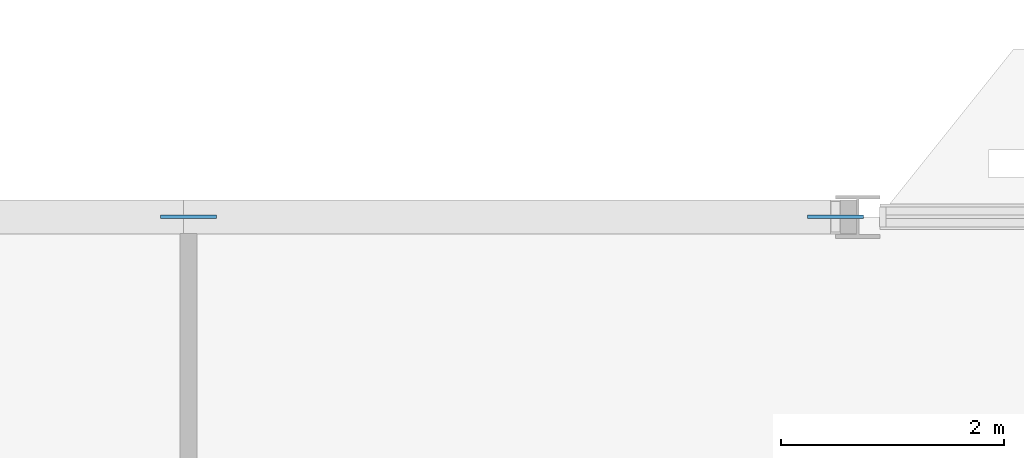
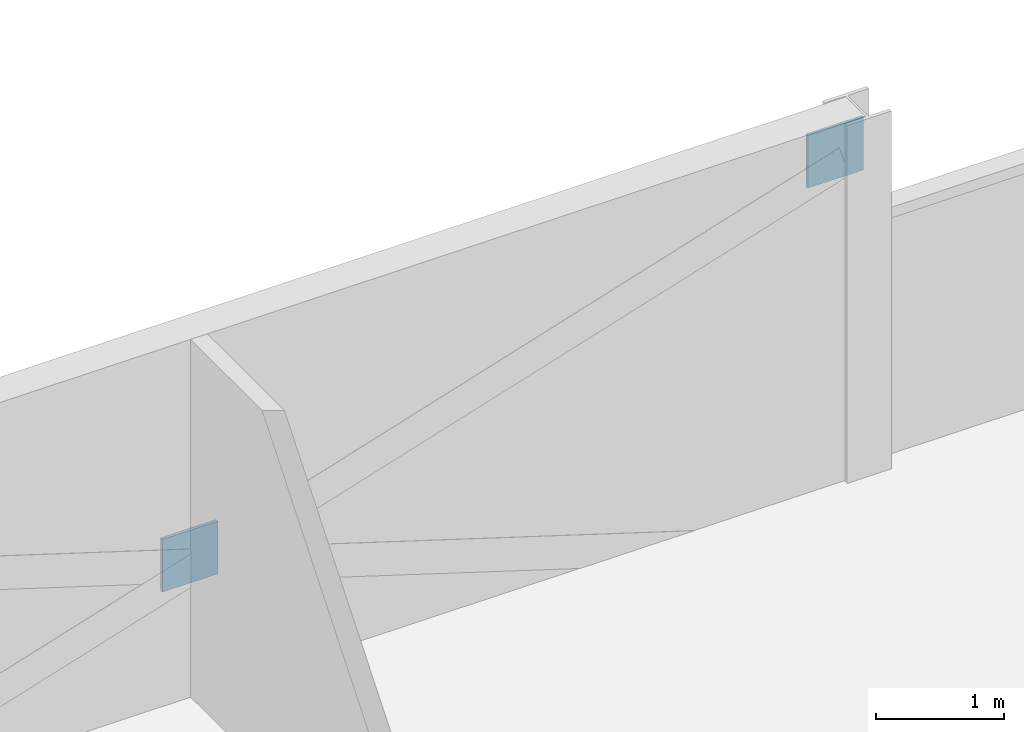
# One storey, part 25 of 33: 2 discrete accessories.
"""IFC4 building model written with IfcOpenShell, lengths in metres."""

import ifcopenshell
import ifcopenshell.guid

model = None  # the IFC model being written
_history = None  # IfcOwnerHistory: only IFC2X3 demands one
_inside = {}  # id of a spatial element -> (the spatial element, [elements in it])
_under = {}  # id of a project, library or spatial element -> (it, [spatial elements below it])
_declared = {}  # id of a project -> (the project, [libraries it declares])
_typed = {}  # id of a type object -> (the type object, [elements of that type])
_made_of = {}  # id of a material, layer set ... -> (it, [elements and type objects made of it])


def new_model(schema):
    """Start an empty IFC model of exactly this schema.

    Asked for "IFC4X3", IfcOpenShell would pick the latest addendum, in which some entities
    have other attributes; the version numbers below select the first issue.
    IFC2X3 requires an IfcOwnerHistory on every rooted entity: one is made here for all.
    """
    global model, _history
    if schema == "IFC4X3":
        model = ifcopenshell.file(schema_version=(4, 3, 0, 0))
    else:
        model = ifcopenshell.file(schema=schema)
    _inside.clear()
    _under.clear()
    _declared.clear()
    _typed.clear()
    _made_of.clear()
    _history = None
    if model.schema == "IFC2X3":
        org = make("IfcOrganization", Name="unknown")
        user = make(
            "IfcPersonAndOrganization",
            ThePerson=make("IfcPerson", FamilyName="unknown"),
            TheOrganization=org,
        )
        app = make(
            "IfcApplication",
            ApplicationDeveloper=org,
            Version="unknown",
            ApplicationFullName="unknown",
            ApplicationIdentifier="unknown",
        )
        _history = make(
            "IfcOwnerHistory",
            OwningUser=user,
            OwningApplication=app,
            ChangeAction="ADDED",
            CreationDate=0,
        )
    return model


def make(cls, **values):
    """One entity of the class cls with the attributes given. An attribute that is None is left unset."""
    return model.create_entity(
        cls, **{name: value for name, value in values.items() if value is not None}
    )


def rooted(cls, **values):
    """An entity with a GlobalId (a new one), such as an element, a storey or a relation."""
    return make(cls, GlobalId=ifcopenshell.guid.new(), OwnerHistory=_history, **values)


def si_unit(unit_type, name, prefix=None):
    """IfcSIUnit, for example si_unit("LENGTHUNIT", "METRE", prefix="MILLI")."""
    return make("IfcSIUnit", UnitType=unit_type, Prefix=prefix, Name=name)


def assignment(units):
    """IfcUnitAssignment: the units of a project."""
    return None if units is None else make("IfcUnitAssignment", Units=units)


def point(xyz):
    """IfcCartesianPoint."""
    return None if xyz is None else make("IfcCartesianPoint", Coordinates=xyz)


def direction(xyz):
    """IfcDirection."""
    return None if xyz is None else make("IfcDirection", DirectionRatios=xyz)


def frame(location, z_axis=None, x_axis=None):
    """IfcAxis2Placement3D, a coordinate frame: its origin and axes. An axis left out is left unset."""
    return make(
        "IfcAxis2Placement3D",
        Location=point(location),
        Axis=direction(z_axis),
        RefDirection=direction(x_axis),
    )


def frame_2d(location, x_axis=None):
    """IfcAxis2Placement2D, a coordinate frame in the plane: its origin and x axis."""
    return make(
        "IfcAxis2Placement2D", Location=point(location), RefDirection=direction(x_axis)
    )


def origin():
    """The frame at (0, 0, 0) with its axes left unset."""
    return frame((0.0, 0.0, 0.0))


def origin_2d():
    """The frame at (0, 0) in the plane with its x axis left unset."""
    return frame_2d((0.0, 0.0))


def place(relative_to, where):
    """IfcLocalPlacement: puts the frame where relative to a parent placement (None: the world)."""
    return make(
        "IfcLocalPlacement", PlacementRelTo=relative_to, RelativePlacement=where
    )


def context(
    kind, dimensions, precision=None, world=None, true_north=None, identifier=None
):
    """IfcGeometricRepresentationContext, for example the 3D "Model" context."""
    return make(
        "IfcGeometricRepresentationContext",
        ContextIdentifier=identifier,
        ContextType=kind,
        CoordinateSpaceDimension=dimensions,
        Precision=precision,
        WorldCoordinateSystem=world,
        TrueNorth=true_north,
    )


def subcontext(parent, identifier, kind, view, scale=None):
    """IfcGeometricRepresentationSubContext, for example "Body" below "Model"."""
    return make(
        "IfcGeometricRepresentationSubContext",
        ContextIdentifier=identifier,
        ContextType=kind,
        ParentContext=parent,
        TargetScale=scale,
        TargetView=view,
    )


def project(units=None, contexts=None):
    """IfcProject with its units and contexts."""
    return rooted(
        "IfcProject",
        Name="project",
        RepresentationContexts=contexts,
        UnitsInContext=assignment(units),
    )


def spatial(cls, under=None, at=None, **own):
    """A site, building, storey or space (cls), placed at a placement, below another one or the project."""
    s = rooted(cls, ObjectPlacement=at, **own)
    if under is not None:
        _under.setdefault(under.id(), (under, []))[1].append(s)
    return s


def profile(cls, at=None, kind="AREA", **sizes):
    """A parametric profile (cls). Its sizes go by their IFC names, for example OverallWidth=200.0."""
    return make(cls, ProfileType=kind, Position=at, **sizes)


def rectangle(**sizes):
    """IfcRectangleProfileDef."""
    return profile("IfcRectangleProfileDef", **sizes)


def extrude(swept, where, along, depth):
    """IfcExtrudedAreaSolid: the profile swept, set in the frame where, extruded along a direction by depth."""
    return make(
        "IfcExtrudedAreaSolid",
        SweptArea=swept,
        Position=where,
        ExtrudedDirection=direction(along),
        Depth=depth,
    )


def shape(context_of_items, identifier, shape_type, items):
    """IfcShapeRepresentation: the items that make up one representation, for example the "Body"."""
    return make(
        "IfcShapeRepresentation",
        ContextOfItems=context_of_items,
        RepresentationIdentifier=identifier,
        RepresentationType=shape_type,
        Items=items,
    )


def material(Name=None, Category=None):
    """IfcMaterial."""
    return make("IfcMaterial", Name=Name, Category=Category)


def layer(
    of_material, thickness, ventilated=None, Name=None, Category=None, Priority=None
):
    """IfcMaterialLayer: one layer of a wall or slab, of a material (None: an air gap)."""
    return make(
        "IfcMaterialLayer",
        Material=of_material,
        LayerThickness=thickness,
        IsVentilated=ventilated,
        Name=Name,
        Category=Category,
        Priority=Priority,
    )


def layer_set(layers, Name=None):
    """IfcMaterialLayerSet."""
    return make("IfcMaterialLayerSet", MaterialLayers=layers, LayerSetName=Name)


def made_of(thing, what):
    """Note that an element or type object is made of a material, layer set ...; save() writes the relation."""
    if what is not None:
        _made_of.setdefault(what.id(), (what, []))[1].append(thing)
    return thing


def type_object(cls, material=None, **own):
    """A type object (cls), such as IfcWallType, which elements share."""
    return made_of(rooted(cls, **own), material)


def element(
    cls,
    number,
    at=None,
    inside=None,
    cuts=None,
    type_object=None,
    material=None,
    context=None,
    identifier="Body",
    shape_type=None,
    held_by="IfcProductDefinitionShape",
    body=None,
    shapes=None,
    **own,
):
    """One element of the class cls, such as IfcWall. Its Tag is "e" and its number.

    at: its placement. inside: the storey or other place that contains it. cuts: it is an
    opening in that element (IfcRelVoidsElement). A single representation is given by context,
    identifier, shape_type and body (its items); several are given by shapes. held_by: the class
    of the entity that holds the representations. save() writes the other relations.
    """
    e = rooted(cls, Tag="e%d" % number, ObjectPlacement=at, **own)
    if body is not None:
        shapes = [shape(context, identifier, shape_type, body)]
    if shapes is not None:
        e.Representation = make(held_by, Representations=shapes)
    if inside is not None:
        _inside.setdefault(inside.id(), (inside, []))[1].append(e)
    if cuts is not None:
        rooted(
            "IfcRelVoidsElement", RelatingBuildingElement=cuts, RelatedOpeningElement=e
        )
    if type_object is not None:
        _typed.setdefault(type_object.id(), (type_object, []))[1].append(e)
    return made_of(e, material)


def aggregate(whole, parts):
    """IfcRelAggregates: a whole, such as a stair, and the parts it consists of."""
    return rooted("IfcRelAggregates", RelatingObject=whole, RelatedObjects=parts)


def save(model, path):
    """Write the relations noted so far, then the file.

    IfcRelAggregates (storeys below a building ...), IfcRelContainedInSpatialStructure (elements
    in a storey), IfcRelDefinesByType, IfcRelAssociatesMaterial and IfcRelDeclares: one each for
    every whole, place, type object, material and project.
    """
    for whole, parts in _under.values():
        aggregate(whole, parts)
    for where, things in _inside.values():
        rooted(
            "IfcRelContainedInSpatialStructure",
            RelatedElements=things,
            RelatingStructure=where,
        )
    for kind, things in _typed.values():
        rooted("IfcRelDefinesByType", RelatedObjects=things, RelatingType=kind)
    for what, things in _made_of.values():
        rooted("IfcRelAssociatesMaterial", RelatedObjects=things, RelatingMaterial=what)
    for by, libraries in _declared.values():
        rooted("IfcRelDeclares", RelatingContext=by, RelatedDefinitions=libraries)
    model.write(path)


model = new_model("IFC4")

# Units and contexts
model_context = context("Model", 3, precision=1e-05, world=origin(), true_north=direction((0.0, 1.0)))
body_context = subcontext(model_context, "Body", "Model", "MODEL_VIEW")
ifc_project = project(units=[si_unit("LENGTHUNIT", "METRE"), si_unit("AREAUNIT", "SQUARE_METRE"), si_unit("VOLUMEUNIT", "CUBIC_METRE"), si_unit("PLANEANGLEUNIT", "RADIAN"), si_unit("MASSUNIT", "GRAM", prefix="KILO")], contexts=[model_context])

# Site, building, storey
site_placement = place(None, origin())
site = spatial("IfcSite", under=ifc_project, at=site_placement, CompositionType="ELEMENT")
building_placement = place(site_placement, origin())
building = spatial("IfcBuilding", under=site, at=building_placement, Name="Mahtab Terrace Research Tower", CompositionType="ELEMENT")
storey_placement = place(building_placement, frame((0.0, 0.0, 255.199951171875)))
storey = spatial("IfcBuildingStorey", under=building, at=storey_placement, Name="L62", CompositionType="ELEMENT", Elevation=255.199951171875)

# Discrete accessories
ifc_material = material(Name="Steel ASTM A992 Gr 50", Category="steel")
ifc_layer = layer(ifc_material, 0.030029296875)
ifc_layer_set = layer_set([ifc_layer], Name="Gusset plate 500x500x30")
discrete_accessory_type = type_object("IfcDiscreteAccessoryType", Name="Gusset plate 500x500x30", PredefinedType="USERDEFINED", material=ifc_layer_set)
for number, where, z_axis, x_axis, name in (
    (1, (0.0, 26.472900390625, 0.9765625), (0.0, 0.0, 1.0), (1.0, 0.0, 0.0), "Gusset plate"),
    (2, (5.800537109375, 26.472900390625, 2.784423828125), (0.0, 0.0, 1.0), (1.0, 0.0, 0.0), "Gusset plate"),
):
    element("IfcDiscreteAccessory", number, at=place(storey_placement, frame(where, z_axis=z_axis, x_axis=x_axis)), inside=storey, type_object=discrete_accessory_type, Name=name, ObjectType="GUSSET PLATE", PredefinedType="USERDEFINED", context=body_context, shape_type="SweptSolid", body=[
        extrude(rectangle(XDim=0.5, YDim=0.030029296875, at=origin_2d()), origin(), (0.0, 0.0, 1.0), 0.5),
    ])

save(model, "model.ifc")
